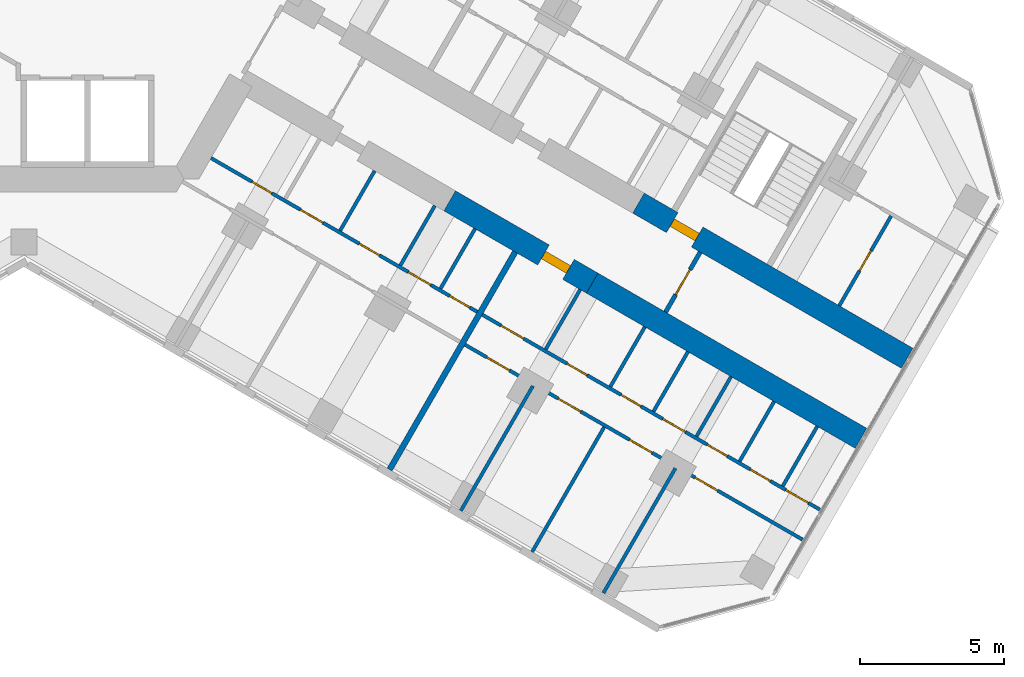
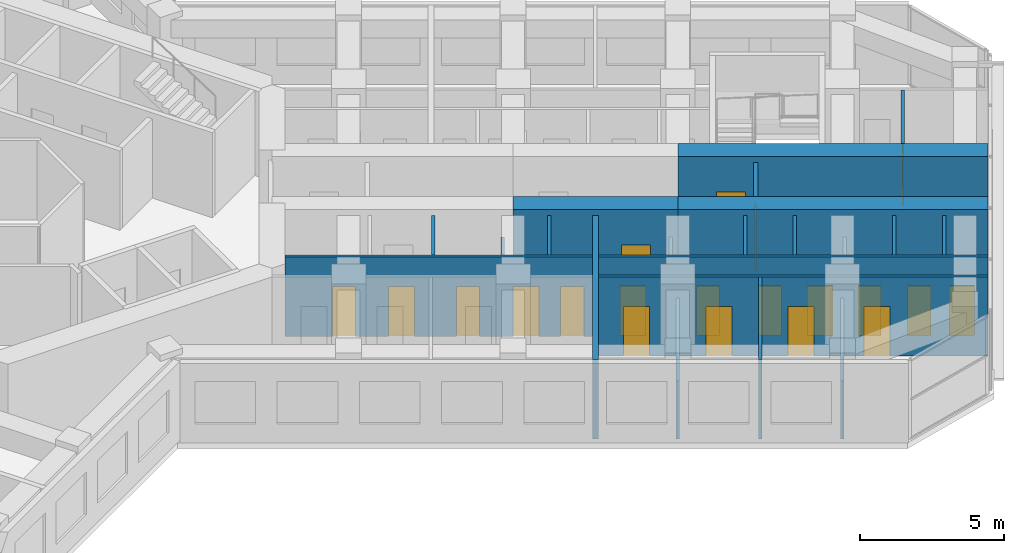
# One storey, part 14 of 20: 21 walls, 20 doors, 20 openings.
"""IFC4 building model written with IfcOpenShell, lengths in metres."""

from ifc_helpers import new_model, si_unit, direction, frame, frame_2d, origin, place, context, subcontext, project, spatial, rectangle, extrude, material, layer, layer_set, type_object, element, fill, save


model = new_model("IFC4")

# Units and contexts
model_context = context("Model", 3, precision=1e-05, world=origin(), true_north=direction((0.0, 1.0)))
body_context = subcontext(model_context, "Body", "Model", "MODEL_VIEW")
ifc_project = project(units=[si_unit("LENGTHUNIT", "METRE"), si_unit("AREAUNIT", "SQUARE_METRE"), si_unit("VOLUMEUNIT", "CUBIC_METRE"), si_unit("PLANEANGLEUNIT", "RADIAN"), si_unit("MASSUNIT", "GRAM", prefix="KILO")], contexts=[model_context])

# Site, building, storey
site_placement = place(None, origin())
site = spatial("IfcSite", under=ifc_project, at=site_placement, CompositionType="ELEMENT")
building_placement = place(site_placement, origin())
building = spatial("IfcBuilding", under=site, at=building_placement, Name="Kosmar Iwan School Tower", CompositionType="ELEMENT")
storey_placement = place(building_placement, frame((0.0, 0.0, 176.0)))
storey = spatial("IfcBuildingStorey", under=building, at=storey_placement, Name="L44", CompositionType="ELEMENT", Elevation=176.0)

# Wall, opening, door
ifc_material_1 = material(Name="Concrete C50/60", Category="concrete")
ifc_layer_1 = layer(ifc_material_1, 0.800048828125)
ifc_layer_set_1 = layer_set([ifc_layer_1], Name="Corridor buttress wall 800")
wall_type_1 = type_object("IfcWallType", Name="Corridor buttress wall 800", PredefinedType="SHEAR", material=ifc_layer_set_1)
wall_1_placement = place(storey_placement, frame((21.281494140625, -10.439453125, 0.0), z_axis=(0.0, 0.0, 1.0), x_axis=(0.866032345022, -0.499987977232, 0.0)))
wall_1 = element("IfcWall", 1, at=wall_1_placement, inside=storey, type_object=wall_type_1, Name="Corridor wall CL bay 3", PredefinedType="SHEAR", context=body_context, shape_type="SweptSolid", body=[
    extrude(rectangle(XDim=10.744873046875, YDim=0.800048828125, at=frame_2d((5.37255859375, 0.0))), origin(), (0.0, 0.0, 1.0), 3.60009765625),
])
opening_1_placement = place(wall_1_placement, frame((1.35009765625, 0.0, 0.0)))
opening_1 = element("IfcOpeningElement", 2, at=opening_1_placement, cuts=wall_1, Name="Opening D6", PredefinedType="OPENING", context=body_context, shape_type="SweptSolid", body=[
    extrude(rectangle(XDim=1.0, YDim=2.10009765625, at=frame_2d((0.5, 1.050048828125))), frame((0.0, 0.412109375, 0.0), z_axis=(0.0, -1.0, 0.0), x_axis=(1.0, 0.0, 0.0)), (0.0, 0.0, 1.0), 0.823974609375),
])
ifc_material_2 = material(Name="Steel fire door", Category="steel")
door_type_1 = type_object("IfcDoorType", Name="Stair door 1000x2100", OperationType="SINGLE_SWING_LEFT", PredefinedType="DOOR", material=ifc_material_2)
door_1_placement = place(opening_1_placement, origin())
door_1 = element("IfcDoor", 3, at=door_1_placement, inside=storey, type_object=door_type_1, Name="Stair WS3 door L44", OperationType="SINGLE_SWING_LEFT", OverallHeight=2.10009765625, OverallWidth=1.0, PredefinedType="DOOR", context=body_context, shape_type="SweptSolid", body=[
    extrude(rectangle(XDim=1.0, YDim=2.10009765625, at=frame_2d((0.5, 1.050048828125))), frame((0.0, 0.14990234375, 0.0), z_axis=(0.0, -1.0, 0.0), x_axis=(1.0, 0.0, 0.0)), (0.0, 0.0, 1.0), 0.300048828125),
])
fill(opening_1, door_1)

wall_2_placement = place(storey_placement, frame((14.7451171875, -10.360595703125, 0.0), z_axis=(0.0, 0.0, 1.0), x_axis=(0.866015111908, -0.50001782563, 0.0)))
wall_2 = element("IfcWall", 4, at=wall_2_placement, inside=storey, type_object=wall_type_1, Name="Corridor wall CR bay 2", PredefinedType="SHEAR", context=body_context, shape_type="SweptSolid", body=[
    extrude(rectangle(XDim=5.699951171875, YDim=0.800048828125, at=frame_2d((2.85009765625, 0.0))), origin(), (0.0, 0.0, 1.0), 3.60009765625),
])
opening_2_placement = place(wall_2_placement, frame((3.75, 0.0, 0.0)))
opening_2 = element("IfcOpeningElement", 5, at=opening_2_placement, cuts=wall_2, Name="Opening D1", PredefinedType="OPENING", context=body_context, shape_type="SweptSolid", body=[
    extrude(rectangle(XDim=1.0, YDim=2.10009765625, at=frame_2d((0.5, 1.050048828125))), frame((0.0, 0.412109375, 0.0), z_axis=(0.0, -1.0, 0.0), x_axis=(1.0, 0.0, 0.0)), (0.0, 0.0, 1.0), 0.823974609375),
])
ifc_material_3 = material(Name="Timber fire door in steel frame", Category="steel")
door_type_2 = type_object("IfcDoorType", Name="Flat entrance door 1000x2100", OperationType="SINGLE_SWING_LEFT", PredefinedType="DOOR", material=ifc_material_3)
door_2_placement = place(opening_2_placement, origin())
door_2 = element("IfcDoor", 6, at=door_2_placement, inside=storey, type_object=door_type_2, Name="Flat L44-CR2 entrance door", OperationType="SINGLE_SWING_RIGHT", OverallHeight=2.10009765625, OverallWidth=1.0, PredefinedType="DOOR", context=body_context, shape_type="SweptSolid", body=[
    extrude(rectangle(XDim=1.0, YDim=2.10009765625, at=frame_2d((0.5, 1.050048828125))), frame((0.0, 0.14990234375, 0.0), z_axis=(0.0, -1.0, 0.0), x_axis=(1.0, 0.0, 0.0)), (0.0, 0.0, 1.0), 0.300048828125),
])
fill(opening_2, door_2)

# Wall
wall_3_placement = place(storey_placement, frame((19.681396484375, -13.210693359375, 0.0), z_axis=(0.0, 0.0, 1.0), x_axis=(0.866028186671, -0.499995179869, 0.0)))
element("IfcWall", 7, at=wall_3_placement, inside=storey, type_object=wall_type_1, Name="Corridor wall CR bay 3", PredefinedType="SHEAR", context=body_context, shape_type="SweptSolid", body=[
    extrude(rectangle(XDim=10.7451171875, YDim=0.800048828125, at=frame_2d((5.37255859375, 0.0))), origin(), (0.0, 0.0, 1.0), 3.60009765625),
])

# Wall, opening, door
ifc_material_4 = material(Name="Gypsum board on steel studs, fire-rated", Category="steel")
ifc_layer_2 = layer(ifc_material_4, 0.14990234375)
ifc_layer_set_2 = layer_set([ifc_layer_2], Name="Corridor end wall 150")
wall_type_2 = type_object("IfcWallType", Name="Corridor end wall 150", PredefinedType="PARTITIONING", material=ifc_layer_set_2)
wall_4_placement = place(storey_placement, frame((22.2197265625, -14.21435546875, 0.0), z_axis=(0.0, 0.0, 1.0), x_axis=(0.499957262057, 0.866050077142, 0.0)))
wall_4 = element("IfcWall", 8, at=wall_4_placement, inside=storey, type_object=wall_type_2, Name="Partition L44-C-CE", PredefinedType="PARTITIONING", context=body_context, shape_type="SweptSolid", body=[
    extrude(rectangle(XDim=2.400146484375, YDim=0.14990234375, at=frame_2d((1.2001953125, 0.0))), origin(), (0.0, 0.0, 1.0), 3.35009765625),
])
opening_3_placement = place(wall_4_placement, frame((0.699951171875, 0.0, 0.0)))
opening_3 = element("IfcOpeningElement", 9, at=opening_3_placement, cuts=wall_4, Name="Opening D13", PredefinedType="OPENING", context=body_context, shape_type="SweptSolid", body=[
    extrude(rectangle(XDim=1.0, YDim=2.10009765625, at=frame_2d((0.5, 1.050048828125))), frame((0.0, 0.0869140625, 0.0), z_axis=(0.0, -1.0, 0.0), x_axis=(1.0, 0.0, 0.0)), (0.0, 0.0, 1.0), 0.173828125),
])
ifc_material_5 = material(Name="Timber fire door with vision panel", Category="wood")
door_type_3 = type_object("IfcDoorType", Name="Corridor end door 1000x2100", OperationType="SINGLE_SWING_LEFT", PredefinedType="DOOR", material=ifc_material_5)
door_3_placement = place(opening_3_placement, origin())
door_3 = element("IfcDoor", 10, at=door_3_placement, inside=storey, type_object=door_type_3, Name="Family study room door L44-C", OperationType="SINGLE_SWING_LEFT", OverallHeight=2.10009765625, OverallWidth=1.0, PredefinedType="DOOR", context=body_context, shape_type="SweptSolid", body=[
    extrude(rectangle(XDim=1.0, YDim=2.10009765625, at=frame_2d((0.5, 1.050048828125))), frame((0.0, 0.02490234375, 0.0), z_axis=(0.0, -1.0, 0.0), x_axis=(1.0, 0.0, 0.0)), (0.0, 0.0, 1.0), 0.050048828125),
])
fill(opening_3, door_3)

ifc_material_6 = material(Name="Gypsum board on steel studs", Category="steel")
ifc_layer_3 = layer(ifc_material_6, 0.1201171875)
ifc_layer_set_3 = layer_set([ifc_layer_3], Name="Dwelling partition 120")
wall_type_3 = type_object("IfcWallType", Name="Dwelling partition 120", PredefinedType="PARTITIONING", material=ifc_layer_set_3)
wall_5_placement = place(storey_placement, frame((28.236572265625, -13.992919921875, 0.0), z_axis=(0.0, 0.0, 1.0), x_axis=(0.499971658126, 0.866041766355, 0.0)))
wall_5 = element("IfcWall", 11, at=wall_5_placement, inside=storey, type_object=wall_type_3, Name="Partition L44-CL2-TY", PredefinedType="PARTITIONING", context=body_context, shape_type="SweptSolid", body=[
    extrude(rectangle(XDim=3.590087890625, YDim=0.1201171875, at=frame_2d((1.794921875, 0.0))), origin(), (0.0, 0.0, 1.0), 3.35009765625),
])
opening_4_placement = place(wall_5_placement, frame((1.39501953125, 0.0, 0.0)))
opening_4 = element("IfcOpeningElement", 12, at=opening_4_placement, cuts=wall_5, Name="Opening D3", PredefinedType="OPENING", context=body_context, shape_type="SweptSolid", body=[
    extrude(rectangle(XDim=0.800048828125, YDim=2.10009765625, at=frame_2d((0.39990234375, 1.050048828125))), frame((0.0, 0.072021484375, 0.0), z_axis=(0.0, -1.0, 0.0), x_axis=(1.0, 0.0, 0.0)), (0.0, 0.0, 1.0), 0.14404296875),
])
ifc_material_7 = material(Name="Timber door in timber frame", Category="wood")
door_type_4 = type_object("IfcDoorType", Name="Sanitary room door 800x2100", OperationType="SINGLE_SWING_LEFT", PredefinedType="DOOR", material=ifc_material_7)
door_4_placement = place(opening_4_placement, origin())
door_4 = element("IfcDoor", 13, at=door_4_placement, inside=storey, type_object=door_type_4, Name="Shower room door L44-CL2-T4", OperationType="SINGLE_SWING_LEFT", OverallHeight=2.10009765625, OverallWidth=0.800048828125, PredefinedType="DOOR", context=body_context, shape_type="SweptSolid", body=[
    extrude(rectangle(XDim=0.800048828125, YDim=2.10009765625, at=frame_2d((0.39990234375, 1.050048828125))), frame((0.0, 0.02490234375, 0.0), z_axis=(0.0, -1.0, 0.0), x_axis=(1.0, 0.0, 0.0)), (0.0, 0.0, 1.0), 0.050048828125),
])
fill(opening_4, door_4)

# Wall, openings, doors
wall_6_placement = place(storey_placement, frame((6.478515625, -8.87890625, 0.0), z_axis=(0.0, 0.0, 1.0), x_axis=(0.866026778288, -0.499997619282, 0.0)))
wall_6 = element("IfcWall", 14, at=wall_6_placement, inside=storey, type_object=wall_type_3, Name="Partition L44-CR1-W1", PredefinedType="PARTITIONING", context=body_context, shape_type="SweptSolid", body=[
    extrude(rectangle(XDim=10.64990234375, YDim=0.1201171875, at=frame_2d((5.324951171875, 0.0))), origin(), (0.0, 0.0, 1.0), 3.35009765625),
])
opening_5_placement = place(wall_6_placement, frame((1.639892578125, 0.0, 0.0)))
opening_5 = element("IfcOpeningElement", 15, at=opening_5_placement, cuts=wall_6, Name="Opening D3", PredefinedType="OPENING", context=body_context, shape_type="SweptSolid", body=[
    extrude(rectangle(XDim=0.800048828125, YDim=2.10009765625, at=frame_2d((0.39990234375, 1.050048828125))), frame((0.0, 0.072021484375, 0.0), z_axis=(0.0, -1.0, 0.0), x_axis=(1.0, 0.0, 0.0)), (0.0, 0.0, 1.0), 0.14404296875),
])
opening_6_placement = place(wall_6_placement, frame((3.580078125, 0.0, 0.0)))
opening_6 = element("IfcOpeningElement", 16, at=opening_6_placement, cuts=wall_6, Name="Opening D2", PredefinedType="OPENING", context=body_context, shape_type="SweptSolid", body=[
    extrude(rectangle(XDim=0.89990234375, YDim=2.10009765625, at=frame_2d((0.449951171875, 1.050048828125))), frame((0.0, 0.072021484375, 0.0), z_axis=(0.0, -1.0, 0.0), x_axis=(1.0, 0.0, 0.0)), (0.0, 0.0, 1.0), 0.14404296875),
])
opening_7_placement = place(wall_6_placement, frame((5.934326171875, 0.0, 0.0)))
opening_7 = element("IfcOpeningElement", 17, at=opening_7_placement, cuts=wall_6, Name="Opening D3", PredefinedType="OPENING", context=body_context, shape_type="SweptSolid", body=[
    extrude(rectangle(XDim=0.800048828125, YDim=2.10009765625, at=frame_2d((0.39990234375, 1.050048828125))), frame((0.0, 0.072021484375, 0.0), z_axis=(0.0, -1.0, 0.0), x_axis=(1.0, 0.0, 0.0)), (0.0, 0.0, 1.0), 0.14404296875),
])
opening_8_placement = place(wall_6_placement, frame((7.891357421875, 0.0, 0.0)))
opening_8 = element("IfcOpeningElement", 18, at=opening_8_placement, cuts=wall_6, Name="Opening D2", PredefinedType="OPENING", context=body_context, shape_type="SweptSolid", body=[
    extrude(rectangle(XDim=0.89990234375, YDim=2.10009765625, at=frame_2d((0.449951171875, 1.050048828125))), frame((0.0, 0.072021484375, 0.0), z_axis=(0.0, -1.0, 0.0), x_axis=(1.0, 0.0, 0.0)), (0.0, 0.0, 1.0), 0.14404296875),
])
opening_9_placement = place(wall_6_placement, frame((9.547119140625, 0.0, 0.0)))
opening_9 = element("IfcOpeningElement", 19, at=opening_9_placement, cuts=wall_6, Name="Opening D3", PredefinedType="OPENING", context=body_context, shape_type="SweptSolid", body=[
    extrude(rectangle(XDim=0.800048828125, YDim=2.10009765625, at=frame_2d((0.39990234375, 1.050048828125))), frame((0.0, 0.072021484375, 0.0), z_axis=(0.0, -1.0, 0.0), x_axis=(1.0, 0.0, 0.0)), (0.0, 0.0, 1.0), 0.14404296875),
])
ifc_material_8 = material(Name="Timber door in timber frame", Category="wood")
door_type_5 = type_object("IfcDoorType", Name="Internal door 900x2100", OperationType="SINGLE_SWING_LEFT", PredefinedType="DOOR", material=ifc_material_8)
door_5_placement = place(opening_6_placement, origin())
door_5 = element("IfcDoor", 20, at=door_5_placement, inside=storey, type_object=door_type_5, Name="Entrance hall door L44-CR1-S2", OperationType="SINGLE_SWING_LEFT", OverallHeight=2.10009765625, OverallWidth=0.89990234375, PredefinedType="DOOR", context=body_context, shape_type="SweptSolid", body=[
    extrude(rectangle(XDim=0.89990234375, YDim=2.10009765625, at=frame_2d((0.449951171875, 1.050048828125))), frame((0.0, 0.02490234375, 0.0), z_axis=(0.0, -1.0, 0.0), x_axis=(1.0, 0.0, 0.0)), (0.0, 0.0, 1.0), 0.050048828125),
])
fill(opening_6, door_5)
door_6_placement = place(opening_8_placement, origin())
door_6 = element("IfcDoor", 21, at=door_6_placement, inside=storey, type_object=door_type_5, Name="Pantry door L44-CR1-S4", OperationType="SINGLE_SWING_LEFT", OverallHeight=2.10009765625, OverallWidth=0.89990234375, PredefinedType="DOOR", context=body_context, shape_type="SweptSolid", body=[
    extrude(rectangle(XDim=0.89990234375, YDim=2.10009765625, at=frame_2d((0.449951171875, 1.050048828125))), frame((0.0, 0.02490234375, 0.0), z_axis=(0.0, -1.0, 0.0), x_axis=(1.0, 0.0, 0.0)), (0.0, 0.0, 1.0), 0.050048828125),
])
fill(opening_8, door_6)
door_7_placement = place(opening_5_placement, origin())
door_7 = element("IfcDoor", 22, at=door_7_placement, inside=storey, type_object=door_type_4, Name="WC door L44-CR1-S1", OperationType="SINGLE_SWING_RIGHT", OverallHeight=2.10009765625, OverallWidth=0.800048828125, PredefinedType="DOOR", context=body_context, shape_type="SweptSolid", body=[
    extrude(rectangle(XDim=0.800048828125, YDim=2.10009765625, at=frame_2d((0.39990234375, 1.050048828125))), frame((0.0, 0.02490234375, 0.0), z_axis=(0.0, -1.0, 0.0), x_axis=(1.0, 0.0, 0.0)), (0.0, 0.0, 1.0), 0.050048828125),
])
fill(opening_5, door_7)
door_8_placement = place(opening_7_placement, origin())
door_8 = element("IfcDoor", 23, at=door_8_placement, inside=storey, type_object=door_type_4, Name="Bathroom door L44-CR1-S3", OperationType="SINGLE_SWING_RIGHT", OverallHeight=2.10009765625, OverallWidth=0.800048828125, PredefinedType="DOOR", context=body_context, shape_type="SweptSolid", body=[
    extrude(rectangle(XDim=0.800048828125, YDim=2.10009765625, at=frame_2d((0.39990234375, 1.050048828125))), frame((0.0, 0.02490234375, 0.0), z_axis=(0.0, -1.0, 0.0), x_axis=(1.0, 0.0, 0.0)), (0.0, 0.0, 1.0), 0.050048828125),
])
fill(opening_7, door_8)
door_9_placement = place(opening_9_placement, origin())
door_9 = element("IfcDoor", 24, at=door_9_placement, inside=storey, type_object=door_type_4, Name="Store door L44-CR1-S5", OperationType="SINGLE_SWING_RIGHT", OverallHeight=2.10009765625, OverallWidth=0.800048828125, PredefinedType="DOOR", context=body_context, shape_type="SweptSolid", body=[
    extrude(rectangle(XDim=0.800048828125, YDim=2.10009765625, at=frame_2d((0.39990234375, 1.050048828125))), frame((0.0, 0.02490234375, 0.0), z_axis=(0.0, -1.0, 0.0), x_axis=(1.0, 0.0, 0.0)), (0.0, 0.0, 1.0), 0.050048828125),
])
fill(opening_9, door_9)

# Walls
wall_7_placement = place(storey_placement, frame((12.146240234375, -9.322021484375, 0.0), z_axis=(0.0, 0.0, 1.0), x_axis=(-0.500017192868, -0.86601547725, 0.0)))
element("IfcWall", 25, at=wall_7_placement, inside=storey, type_object=wall_type_3, Name="Partition L44-CR1-Y2", PredefinedType="PARTITIONING", context=body_context, shape_type="SweptSolid", body=[
    extrude(rectangle(XDim=2.39013671875, YDim=0.1201171875, at=frame_2d((1.195068359375, 0.0))), origin(), (0.0, 0.0, 1.0), 3.35009765625),
])
wall_8_placement = place(storey_placement, frame((14.232177734375, -10.5263671875, 0.0), z_axis=(0.0, 0.0, 1.0), x_axis=(-0.500017192868, -0.86601547725, 0.0)))
element("IfcWall", 26, at=wall_8_placement, inside=storey, type_object=wall_type_3, Name="Partition L44-CR1-Y3", PredefinedType="PARTITIONING", context=body_context, shape_type="SweptSolid", body=[
    extrude(rectangle(XDim=2.39013671875, YDim=0.1201171875, at=frame_2d((1.195068359375, 0.0))), origin(), (0.0, 0.0, 1.0), 2.449951171875),
])
wall_9_placement = place(storey_placement, frame((15.622802734375, -11.3291015625, 0.0), z_axis=(0.0, 0.0, 1.0), x_axis=(-0.500017192868, -0.86601547725, 0.0)))
element("IfcWall", 27, at=wall_9_placement, inside=storey, type_object=wall_type_3, Name="Partition L44-CR1-Y4", PredefinedType="PARTITIONING", context=body_context, shape_type="SweptSolid", body=[
    extrude(rectangle(XDim=2.39013671875, YDim=0.1201171875, at=frame_2d((1.195068359375, 0.0))), origin(), (0.0, 0.0, 1.0), 3.35009765625),
])

# Wall, openings, doors
wall_10_placement = place(storey_placement, frame((15.875, -14.3037109375, 0.0), z_axis=(0.0, 0.0, 1.0), x_axis=(0.866023503214, -0.50000329187, 0.0)))
wall_10 = element("IfcWall", 28, at=wall_10_placement, inside=storey, type_object=wall_type_3, Name="Partition L44-CR2-W1", PredefinedType="PARTITIONING", context=body_context, shape_type="SweptSolid", body=[
    extrude(rectangle(XDim=13.4951171875, YDim=0.1201171875, at=frame_2d((6.74755859375, 0.0))), origin(), (0.0, 0.0, 1.0), 3.35009765625),
])
opening_10_placement = place(wall_10_placement, frame((0.75, 0.0, 0.0)))
opening_10 = element("IfcOpeningElement", 29, at=opening_10_placement, cuts=wall_10, Name="Opening D2", PredefinedType="OPENING", context=body_context, shape_type="SweptSolid", body=[
    extrude(rectangle(XDim=0.89990234375, YDim=2.10009765625, at=frame_2d((0.449951171875, 1.050048828125))), frame((0.0, 0.072021484375, 0.0), z_axis=(0.0, -1.0, 0.0), x_axis=(1.0, 0.0, 0.0)), (0.0, 0.0, 1.0), 0.14404296875),
])
opening_11_placement = place(wall_10_placement, frame((3.392333984375, 0.0, 0.0)))
opening_11 = element("IfcOpeningElement", 30, at=opening_11_placement, cuts=wall_10, Name="Opening D3", PredefinedType="OPENING", context=body_context, shape_type="SweptSolid", body=[
    extrude(rectangle(XDim=0.800048828125, YDim=2.10009765625, at=frame_2d((0.39990234375, 1.050048828125))), frame((0.0, 0.072021484375, 0.0), z_axis=(0.0, -1.0, 0.0), x_axis=(1.0, 0.0, 0.0)), (0.0, 0.0, 1.0), 0.14404296875),
])
opening_12_placement = place(wall_10_placement, frame((5.546142578125, 0.0, 0.0)))
opening_12 = element("IfcOpeningElement", 31, at=opening_12_placement, cuts=wall_10, Name="Opening D3", PredefinedType="OPENING", context=body_context, shape_type="SweptSolid", body=[
    extrude(rectangle(XDim=0.800048828125, YDim=2.10009765625, at=frame_2d((0.39990234375, 1.050048828125))), frame((0.0, 0.072021484375, 0.0), z_axis=(0.0, -1.0, 0.0), x_axis=(1.0, 0.0, 0.0)), (0.0, 0.0, 1.0), 0.14404296875),
])
opening_13_placement = place(wall_10_placement, frame((7.21923828125, 0.0, 0.0)))
opening_13 = element("IfcOpeningElement", 32, at=opening_13_placement, cuts=wall_10, Name="Opening D2", PredefinedType="OPENING", context=body_context, shape_type="SweptSolid", body=[
    extrude(rectangle(XDim=0.89990234375, YDim=2.10009765625, at=frame_2d((0.449951171875, 1.050048828125))), frame((0.0, 0.072021484375, 0.0), z_axis=(0.0, -1.0, 0.0), x_axis=(1.0, 0.0, 0.0)), (0.0, 0.0, 1.0), 0.14404296875),
])
opening_14_placement = place(wall_10_placement, frame((8.992431640625, 0.0, 0.0)))
opening_14 = element("IfcOpeningElement", 33, at=opening_14_placement, cuts=wall_10, Name="Opening D3", PredefinedType="OPENING", context=body_context, shape_type="SweptSolid", body=[
    extrude(rectangle(XDim=0.800048828125, YDim=2.10009765625, at=frame_2d((0.39990234375, 1.050048828125))), frame((0.0, 0.072021484375, 0.0), z_axis=(0.0, -1.0, 0.0), x_axis=(1.0, 0.0, 0.0)), (0.0, 0.0, 1.0), 0.14404296875),
])
opening_15_placement = place(wall_10_placement, frame((10.71533203125, 0.0, 0.0)))
opening_15 = element("IfcOpeningElement", 34, at=opening_15_placement, cuts=wall_10, Name="Opening D3", PredefinedType="OPENING", context=body_context, shape_type="SweptSolid", body=[
    extrude(rectangle(XDim=0.800048828125, YDim=2.10009765625, at=frame_2d((0.39990234375, 1.050048828125))), frame((0.0, 0.072021484375, 0.0), z_axis=(0.0, -1.0, 0.0), x_axis=(1.0, 0.0, 0.0)), (0.0, 0.0, 1.0), 0.14404296875),
])
opening_16_placement = place(wall_10_placement, frame((12.136962890625, 0.0, 0.0)))
opening_16 = element("IfcOpeningElement", 35, at=opening_16_placement, cuts=wall_10, Name="Opening D2", PredefinedType="OPENING", context=body_context, shape_type="SweptSolid", body=[
    extrude(rectangle(XDim=0.89990234375, YDim=2.10009765625, at=frame_2d((0.449951171875, 1.050048828125))), frame((0.0, 0.072021484375, 0.0), z_axis=(0.0, -1.0, 0.0), x_axis=(1.0, 0.0, 0.0)), (0.0, 0.0, 1.0), 0.14404296875),
])
door_10_placement = place(opening_10_placement, origin())
door_10 = element("IfcDoor", 36, at=door_10_placement, inside=storey, type_object=door_type_5, Name="Entrance hall door L44-CR2-S1", OperationType="SINGLE_SWING_RIGHT", OverallHeight=2.10009765625, OverallWidth=0.89990234375, PredefinedType="DOOR", context=body_context, shape_type="SweptSolid", body=[
    extrude(rectangle(XDim=0.89990234375, YDim=2.10009765625, at=frame_2d((0.449951171875, 1.050048828125))), frame((0.0, 0.02490234375, 0.0), z_axis=(0.0, -1.0, 0.0), x_axis=(1.0, 0.0, 0.0)), (0.0, 0.0, 1.0), 0.050048828125),
])
fill(opening_10, door_10)
door_11_placement = place(opening_13_placement, origin())
door_11 = element("IfcDoor", 37, at=door_11_placement, inside=storey, type_object=door_type_5, Name="Pantry door L44-CR2-S4", OperationType="SINGLE_SWING_LEFT", OverallHeight=2.10009765625, OverallWidth=0.89990234375, PredefinedType="DOOR", context=body_context, shape_type="SweptSolid", body=[
    extrude(rectangle(XDim=0.89990234375, YDim=2.10009765625, at=frame_2d((0.449951171875, 1.050048828125))), frame((0.0, 0.02490234375, 0.0), z_axis=(0.0, -1.0, 0.0), x_axis=(1.0, 0.0, 0.0)), (0.0, 0.0, 1.0), 0.050048828125),
])
fill(opening_13, door_11)
door_12_placement = place(opening_16_placement, origin())
door_12 = element("IfcDoor", 38, at=door_12_placement, inside=storey, type_object=door_type_5, Name="Utility room door L44-CR2-S7", OperationType="SINGLE_SWING_LEFT", OverallHeight=2.10009765625, OverallWidth=0.89990234375, PredefinedType="DOOR", context=body_context, shape_type="SweptSolid", body=[
    extrude(rectangle(XDim=0.89990234375, YDim=2.10009765625, at=frame_2d((0.449951171875, 1.050048828125))), frame((0.0, 0.02490234375, 0.0), z_axis=(0.0, -1.0, 0.0), x_axis=(1.0, 0.0, 0.0)), (0.0, 0.0, 1.0), 0.050048828125),
])
fill(opening_16, door_12)
door_13_placement = place(opening_11_placement, origin())
door_13 = element("IfcDoor", 39, at=door_13_placement, inside=storey, type_object=door_type_4, Name="Bathroom door L44-CR2-S2", OperationType="SINGLE_SWING_LEFT", OverallHeight=2.10009765625, OverallWidth=0.800048828125, PredefinedType="DOOR", context=body_context, shape_type="SweptSolid", body=[
    extrude(rectangle(XDim=0.800048828125, YDim=2.10009765625, at=frame_2d((0.39990234375, 1.050048828125))), frame((0.0, 0.02490234375, 0.0), z_axis=(0.0, -1.0, 0.0), x_axis=(1.0, 0.0, 0.0)), (0.0, 0.0, 1.0), 0.050048828125),
])
fill(opening_11, door_13)
door_14_placement = place(opening_12_placement, origin())
door_14 = element("IfcDoor", 40, at=door_14_placement, inside=storey, type_object=door_type_4, Name="Shower room door L44-CR2-S3", OperationType="SINGLE_SWING_RIGHT", OverallHeight=2.10009765625, OverallWidth=0.800048828125, PredefinedType="DOOR", context=body_context, shape_type="SweptSolid", body=[
    extrude(rectangle(XDim=0.800048828125, YDim=2.10009765625, at=frame_2d((0.39990234375, 1.050048828125))), frame((0.0, 0.02490234375, 0.0), z_axis=(0.0, -1.0, 0.0), x_axis=(1.0, 0.0, 0.0)), (0.0, 0.0, 1.0), 0.050048828125),
])
fill(opening_12, door_14)
door_15_placement = place(opening_14_placement, origin())
door_15 = element("IfcDoor", 41, at=door_15_placement, inside=storey, type_object=door_type_4, Name="WC door L44-CR2-S5", OperationType="SINGLE_SWING_RIGHT", OverallHeight=2.10009765625, OverallWidth=0.800048828125, PredefinedType="DOOR", context=body_context, shape_type="SweptSolid", body=[
    extrude(rectangle(XDim=0.800048828125, YDim=2.10009765625, at=frame_2d((0.39990234375, 1.050048828125))), frame((0.0, 0.02490234375, 0.0), z_axis=(0.0, -1.0, 0.0), x_axis=(1.0, 0.0, 0.0)), (0.0, 0.0, 1.0), 0.050048828125),
])
fill(opening_14, door_15)
door_16_placement = place(opening_15_placement, origin())
door_16 = element("IfcDoor", 42, at=door_16_placement, inside=storey, type_object=door_type_4, Name="Store door L44-CR2-S6", OperationType="SINGLE_SWING_LEFT", OverallHeight=2.10009765625, OverallWidth=0.800048828125, PredefinedType="DOOR", context=body_context, shape_type="SweptSolid", body=[
    extrude(rectangle(XDim=0.800048828125, YDim=2.10009765625, at=frame_2d((0.39990234375, 1.050048828125))), frame((0.0, 0.02490234375, 0.0), z_axis=(0.0, -1.0, 0.0), x_axis=(1.0, 0.0, 0.0)), (0.0, 0.0, 1.0), 0.050048828125),
])
fill(opening_15, door_16)

wall_11_placement = place(storey_placement, frame((15.27490234375, -15.343017578125, 0.0), z_axis=(0.0, 0.0, 1.0), x_axis=(0.866023503214, -0.50000329187, 0.0)))
wall_11 = element("IfcWall", 43, at=wall_11_placement, inside=storey, type_object=wall_type_3, Name="Partition L44-CR2-W2", PredefinedType="PARTITIONING", context=body_context, shape_type="SweptSolid", body=[
    extrude(rectangle(XDim=13.4951171875, YDim=0.1201171875, at=frame_2d((6.74755859375, 0.0))), origin(), (0.0, 0.0, 1.0), 3.35009765625),
])
opening_17_placement = place(wall_11_placement, frame((0.875, 0.0, 0.0)))
opening_17 = element("IfcOpeningElement", 44, at=opening_17_placement, cuts=wall_11, Name="Opening D2", PredefinedType="OPENING", context=body_context, shape_type="SweptSolid", body=[
    extrude(rectangle(XDim=0.89990234375, YDim=2.10009765625, at=frame_2d((0.449951171875, 1.050048828125))), frame((0.0, 0.072021484375, 0.0), z_axis=(0.0, -1.0, 0.0), x_axis=(1.0, 0.0, 0.0)), (0.0, 0.0, 1.0), 0.14404296875),
])
opening_18_placement = place(wall_11_placement, frame((3.72509765625, 0.0, 0.0)))
opening_18 = element("IfcOpeningElement", 45, at=opening_18_placement, cuts=wall_11, Name="Opening D2", PredefinedType="OPENING", context=body_context, shape_type="SweptSolid", body=[
    extrude(rectangle(XDim=0.89990234375, YDim=2.10009765625, at=frame_2d((0.449951171875, 1.050048828125))), frame((0.0, 0.072021484375, 0.0), z_axis=(0.0, -1.0, 0.0), x_axis=(1.0, 0.0, 0.0)), (0.0, 0.0, 1.0), 0.14404296875),
])
opening_19_placement = place(wall_11_placement, frame((6.574951171875, 0.0, 0.0)))
opening_19 = element("IfcOpeningElement", 46, at=opening_19_placement, cuts=wall_11, Name="Opening D2", PredefinedType="OPENING", context=body_context, shape_type="SweptSolid", body=[
    extrude(rectangle(XDim=0.89990234375, YDim=2.10009765625, at=frame_2d((0.449951171875, 1.050048828125))), frame((0.0, 0.072021484375, 0.0), z_axis=(0.0, -1.0, 0.0), x_axis=(1.0, 0.0, 0.0)), (0.0, 0.0, 1.0), 0.14404296875),
])
opening_20_placement = place(wall_11_placement, frame((9.199951171875, 0.0, 0.0)))
opening_20 = element("IfcOpeningElement", 47, at=opening_20_placement, cuts=wall_11, Name="Opening D2", PredefinedType="OPENING", context=body_context, shape_type="SweptSolid", body=[
    extrude(rectangle(XDim=0.89990234375, YDim=2.10009765625, at=frame_2d((0.449951171875, 1.050048828125))), frame((0.0, 0.072021484375, 0.0), z_axis=(0.0, -1.0, 0.0), x_axis=(1.0, 0.0, 0.0)), (0.0, 0.0, 1.0), 0.14404296875),
])
door_17_placement = place(opening_17_placement, origin())
door_17 = element("IfcDoor", 48, at=door_17_placement, inside=storey, type_object=door_type_5, Name="Bedroom 2 door L44-CR2-F1", OperationType="SINGLE_SWING_LEFT", OverallHeight=2.10009765625, OverallWidth=0.89990234375, PredefinedType="DOOR", context=body_context, shape_type="SweptSolid", body=[
    extrude(rectangle(XDim=0.89990234375, YDim=2.10009765625, at=frame_2d((0.449951171875, 1.050048828125))), frame((0.0, 0.02490234375, 0.0), z_axis=(0.0, -1.0, 0.0), x_axis=(1.0, 0.0, 0.0)), (0.0, 0.0, 1.0), 0.050048828125),
])
fill(opening_17, door_17)
door_18_placement = place(opening_18_placement, origin())
door_18 = element("IfcDoor", 49, at=door_18_placement, inside=storey, type_object=door_type_5, Name="Kitchen and dining room door L44-CR2-F2", OperationType="SINGLE_SWING_LEFT", OverallHeight=2.10009765625, OverallWidth=0.89990234375, PredefinedType="DOOR", context=body_context, shape_type="SweptSolid", body=[
    extrude(rectangle(XDim=0.89990234375, YDim=2.10009765625, at=frame_2d((0.449951171875, 1.050048828125))), frame((0.0, 0.02490234375, 0.0), z_axis=(0.0, -1.0, 0.0), x_axis=(1.0, 0.0, 0.0)), (0.0, 0.0, 1.0), 0.050048828125),
])
fill(opening_18, door_18)
door_19_placement = place(opening_19_placement, origin())
door_19 = element("IfcDoor", 50, at=door_19_placement, inside=storey, type_object=door_type_5, Name="Bedroom 1 door L44-CR2-F3", OperationType="SINGLE_SWING_RIGHT", OverallHeight=2.10009765625, OverallWidth=0.89990234375, PredefinedType="DOOR", context=body_context, shape_type="SweptSolid", body=[
    extrude(rectangle(XDim=0.89990234375, YDim=2.10009765625, at=frame_2d((0.449951171875, 1.050048828125))), frame((0.0, 0.02490234375, 0.0), z_axis=(0.0, -1.0, 0.0), x_axis=(1.0, 0.0, 0.0)), (0.0, 0.0, 1.0), 0.050048828125),
])
fill(opening_19, door_19)
door_20_placement = place(opening_20_placement, origin())
door_20 = element("IfcDoor", 51, at=door_20_placement, inside=storey, type_object=door_type_5, Name="Living room door L44-CR2-F4", OperationType="SINGLE_SWING_RIGHT", OverallHeight=2.10009765625, OverallWidth=0.89990234375, PredefinedType="DOOR", context=body_context, shape_type="SweptSolid", body=[
    extrude(rectangle(XDim=0.89990234375, YDim=2.10009765625, at=frame_2d((0.449951171875, 1.050048828125))), frame((0.0, 0.02490234375, 0.0), z_axis=(0.0, -1.0, 0.0), x_axis=(1.0, 0.0, 0.0)), (0.0, 0.0, 1.0), 0.050048828125),
])
fill(opening_20, door_20)

# Walls
wall_12_placement = place(storey_placement, frame((17.62646484375, -16.77001953125, 0.0), z_axis=(0.0, 0.0, 1.0), x_axis=(-0.499975153383, -0.86603974851, 0.0)))
element("IfcWall", 52, at=wall_12_placement, inside=storey, type_object=wall_type_3, Name="Partition L44-CR2-X1", PredefinedType="PARTITIONING", context=body_context, shape_type="SweptSolid", body=[
    extrude(rectangle(XDim=4.989990234375, YDim=0.1201171875, at=frame_2d((2.4951171875, 0.0))), origin(), (0.0, 0.0, 1.0), 2.449951171875),
])
wall_13_placement = place(storey_placement, frame((20.0947265625, -18.195068359375, 0.0), z_axis=(0.0, 0.0, 1.0), x_axis=(-0.500011847778, -0.866018563358, 0.0)))
element("IfcWall", 53, at=wall_13_placement, inside=storey, type_object=wall_type_3, Name="Partition L44-CR2-X2", PredefinedType="PARTITIONING", context=body_context, shape_type="SweptSolid", body=[
    extrude(rectangle(XDim=4.990234375, YDim=0.1201171875, at=frame_2d((2.4951171875, 0.0))), origin(), (0.0, 0.0, 1.0), 3.35009765625),
])
wall_14_placement = place(storey_placement, frame((22.562744140625, -19.6201171875, 0.0), z_axis=(0.0, 0.0, 1.0), x_axis=(-0.499996339024, -0.86602751744, 0.0)))
element("IfcWall", 54, at=wall_14_placement, inside=storey, type_object=wall_type_3, Name="Partition L44-CR2-X3", PredefinedType="PARTITIONING", context=body_context, shape_type="SweptSolid", body=[
    extrude(rectangle(XDim=4.98974609375, YDim=0.1201171875, at=frame_2d((2.494873046875, 0.0))), origin(), (0.0, 0.0, 1.0), 2.449951171875),
])
wall_15_placement = place(storey_placement, frame((19.264892578125, -13.43212890625, 0.0), z_axis=(0.0, 0.0, 1.0), x_axis=(-0.499940577336, -0.866059708757, 0.0)))
element("IfcWall", 55, at=wall_15_placement, inside=storey, type_object=wall_type_3, Name="Partition L44-CR2-Y1", PredefinedType="PARTITIONING", context=body_context, shape_type="SweptSolid", body=[
    extrude(rectangle(XDim=2.389892578125, YDim=0.1201171875, at=frame_2d((1.19482421875, 0.0))), origin(), (0.0, 0.0, 1.0), 2.449951171875),
])
for number, where, z_axis, x_axis, name in (
    (56, (21.50341796875, -14.724365234375, 0.0), (0.0, 0.0, 1.0), (-0.500017192868, -0.86601547725, 0.0), "Partition L44-CR2-Y2"),
    (57, (22.99560546875, -15.5859375, 0.0), (0.0, 0.0, 1.0), (-0.500017192868, -0.86601547725, 0.0), "Partition L44-CR2-Y3"),
):
    element("IfcWall", number, at=place(storey_placement, frame(where, z_axis=z_axis, x_axis=x_axis)), inside=storey, type_object=wall_type_3, Name=name, PredefinedType="PARTITIONING", context=body_context, shape_type="SweptSolid", body=[
        extrude(rectangle(XDim=2.39013671875, YDim=0.1201171875, at=frame_2d((1.195068359375, 0.0))), origin(), (0.0, 0.0, 1.0), 3.35009765625),
    ])
wall_16_placement = place(storey_placement, frame((24.48779296875, -16.447509765625, 0.0), z_axis=(0.0, 0.0, 1.0), x_axis=(-0.500017192868, -0.86601547725, 0.0)))
element("IfcWall", 58, at=wall_16_placement, inside=storey, type_object=wall_type_3, Name="Partition L44-CR2-Y4", PredefinedType="PARTITIONING", context=body_context, shape_type="SweptSolid", body=[
    extrude(rectangle(XDim=2.39013671875, YDim=0.1201171875, at=frame_2d((1.195068359375, 0.0))), origin(), (0.0, 0.0, 1.0), 2.449951171875),
])
for number, where, z_axis, x_axis, name in (
    (59, (25.97998046875, -17.30908203125, 0.0), (0.0, 0.0, 1.0), (-0.500061428766, -0.865989934965, 0.0), "Partition L44-CR2-Y5"),
    (60, (27.47216796875, -18.17041015625, 0.0), (0.0, 0.0, 1.0), (-0.499940577336, -0.866059708757, 0.0), "Partition L44-CR2-Y6"),
):
    element("IfcWall", number, at=place(storey_placement, frame(where, z_axis=z_axis, x_axis=x_axis)), inside=storey, type_object=wall_type_3, Name=name, PredefinedType="PARTITIONING", context=body_context, shape_type="SweptSolid", body=[
        extrude(rectangle(XDim=2.389892578125, YDim=0.1201171875, at=frame_2d((1.19482421875, 0.0))), origin(), (0.0, 0.0, 1.0), 3.35009765625),
    ])
ifc_material_9 = material(Name="Concrete block masonry", Category="masonry")
ifc_layer_4 = layer(ifc_material_9, 0.199951171875)
ifc_layer_set_4 = layer_set([ifc_layer_4], Name="Party wall 200")
wall_type_4 = type_object("IfcWallType", Name="Party wall 200", PredefinedType="PARTITIONING", material=ifc_layer_set_4)
wall_17_placement = place(storey_placement, frame((17.013427734375, -12.132080078125, 0.0), z_axis=(0.0, 0.0, 1.0), x_axis=(-0.500008278454, -0.866020624164, 0.0)))
element("IfcWall", 61, at=wall_17_placement, inside=storey, type_object=wall_type_4, Name="Partition L44-CR2-PW", PredefinedType="PARTITIONING", context=body_context, shape_type="SweptSolid", body=[
    extrude(rectangle(XDim=8.699951171875, YDim=0.199951171875, at=frame_2d((4.35009765625, 0.0))), origin(), (0.0, 0.0, 1.0), 3.35009765625),
])

save(model, "model.ifc")
